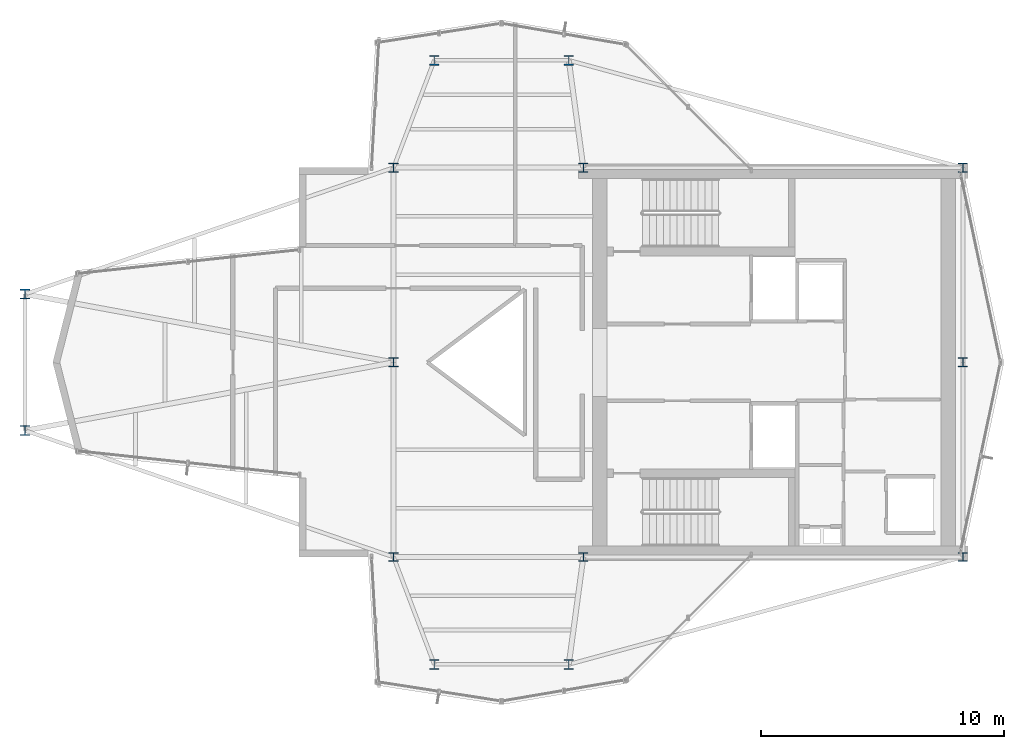
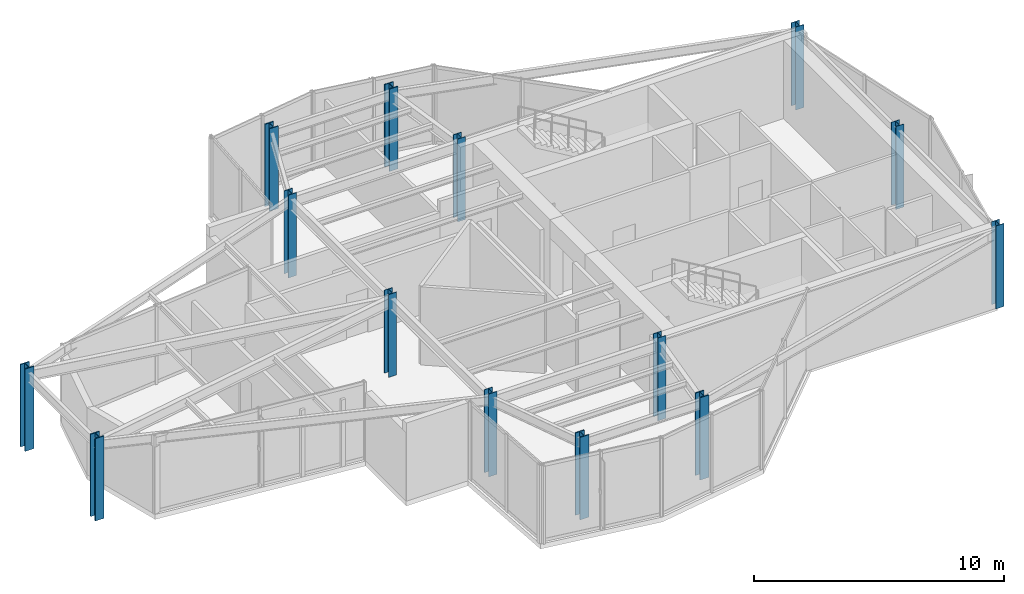
# One storey, part 1 of 13: 14 columns.
"""IFC4 building model written with IfcOpenShell, lengths in metres."""

from ifc_helpers import new_model, si_unit, direction, frame, origin, origin_2d, place, context, subcontext, project, spatial, i_section, extrude, material, material_profile, profile_set, type_object, element, save


model = new_model("IFC4")

# Units and contexts
model_context = context("Model", 3, precision=1e-05, world=origin(), true_north=direction((0.0, 1.0)))
body_context = subcontext(model_context, "Body", "Model", "MODEL_VIEW")
ifc_project = project(units=[si_unit("LENGTHUNIT", "METRE"), si_unit("AREAUNIT", "SQUARE_METRE"), si_unit("VOLUMEUNIT", "CUBIC_METRE"), si_unit("PLANEANGLEUNIT", "RADIAN"), si_unit("MASSUNIT", "GRAM", prefix="KILO")], contexts=[model_context])

# Site, building, storey
site_placement = place(None, origin())
site = spatial("IfcSite", under=ifc_project, at=site_placement, CompositionType="ELEMENT")
building_placement = place(site_placement, origin())
building = spatial("IfcBuilding", under=site, at=building_placement, Name="Veymaron Broadcast Tower", CompositionType="ELEMENT")
storey_placement = place(building_placement, frame((0.0, 0.0, 303.300048828125)))
storey = spatial("IfcBuildingStorey", under=building, at=storey_placement, Name="L71", CompositionType="ELEMENT", Elevation=303.300048828125)

# Columns
ifc_material_1 = material(Name="Structural steel ASTM A992 Gr 50", Category="steel")
ifc_material_profile_1 = material_profile(ifc_material_1, i_section(OverallWidth=0.373046875, OverallDepth=0.367919921875, WebThickness=0.014892578125, FlangeThickness=0.02392578125, at=origin_2d()), Name="W360X179")
ifc_profile_set_1 = profile_set([ifc_material_profile_1], Name="Structural steel ASTM A992 Gr 50")
column_type_1 = type_object("IfcColumnType", Name="COL-HC4", PredefinedType="COLUMN", material=ifc_profile_set_1)
for number, where, z_axis, x_axis, name in (
    (1, (31.199951171875, 16.0, 0.0), (0.0, 0.0, 1.0), (1.0, 0.0, 0.0), "L71 structural hub and core column"),
    (2, (31.199951171875, 24.0, 0.0), (0.0, 0.0, 1.0), (1.0, 0.0, 0.0), "L71 structural hub and core column"),
    (3, (31.199951171875, 32.0, 0.0), (0.0, 0.0, 1.0), (1.0, 0.0, 0.0), "L71 structural hub and core column"),
    (4, (39.0, 16.0, 0.0), (0.0, 0.0, 1.0), (1.0, 0.0, 0.0), "L71 structural hub and core column"),
    (5, (39.0, 32.0, 0.0), (0.0, 0.0, 1.0), (1.0, 0.0, 0.0), "L71 structural hub and core column"),
    (6, (54.60009765625, 16.0, 0.0), (0.0, 0.0, 1.0), (1.0, 0.0, 0.0), "L71 structural hub and core column"),
    (7, (54.60009765625, 24.0, 0.0), (0.0, 0.0, 1.0), (1.0, 0.0, 0.0), "L71 structural hub and core column"),
    (8, (54.60009765625, 32.0, 0.0), (0.0, 0.0, 1.0), (1.0, 0.0, 0.0), "L71 structural hub and core column"),
):
    element("IfcColumn", number, at=place(storey_placement, frame(where, z_axis=z_axis, x_axis=x_axis)), inside=storey, type_object=column_type_1, Name=name, PredefinedType="COLUMN", context=body_context, shape_type="SweptSolid", body=[
        extrude(i_section(OverallWidth=0.373046875, OverallDepth=0.367919921875, WebThickness=0.014892578125, FlangeThickness=0.02392578125, at=origin_2d()), origin(), (0.0, 0.0, 1.0), 4.0439453125),
    ])
ifc_material_2 = material(Name="Structural steel ASTM A913 Gr 65", Category="steel")
ifc_material_profile_2 = material_profile(ifc_material_2, i_section(OverallWidth=0.406005859375, OverallDepth=0.416015625, WebThickness=0.02978515625, FlangeThickness=0.048095703125, at=origin_2d()), Name="W360X382")
ifc_profile_set_2 = profile_set([ifc_material_profile_2], Name="Structural steel ASTM A913 Gr 65")
column_type_2 = type_object("IfcColumnType", Name="COL-MC4", PredefinedType="COLUMN", material=ifc_profile_set_2)
for number, where, z_axis, x_axis, name in (
    (9, (16.052490234375, 21.197998046875, 0.015869140625), (0.0, 0.0, 1.0), (1.0, 0.0, 0.0), "L71 Tapered Wing Mega Column"),
    (10, (16.052490234375, 26.802001953125, 0.015869140625), (0.0, 0.0, 1.0), (1.0, 0.0, 0.0), "L71 Tapered Wing Mega Column"),
    (11, (32.87451171875, 36.412109375, 0.015869140625), (0.0, 0.0, 1.0), (1.0, 0.0, 0.0), "L71 Tapered Wing Mega Column"),
    (12, (38.402099609375, 36.412109375, 0.015869140625), (0.0, 0.0, 1.0), (1.0, 0.0, 0.0), "L71 Tapered Wing Mega Column"),
    (13, (32.87451171875, 11.587890625, 0.015869140625), (0.0, 0.0, 1.0), (1.0, 0.0, 0.0), "L71 Tapered Wing Mega Column"),
    (14, (38.402099609375, 11.587890625, 0.015869140625), (0.0, 0.0, 1.0), (1.0, 0.0, 0.0), "L71 Tapered Wing Mega Column"),
):
    element("IfcColumn", number, at=place(storey_placement, frame(where, z_axis=z_axis, x_axis=x_axis)), inside=storey, type_object=column_type_2, Name=name, PredefinedType="COLUMN", context=body_context, shape_type="SweptSolid", body=[
        extrude(i_section(OverallWidth=0.406005859375, OverallDepth=0.416015625, WebThickness=0.02978515625, FlangeThickness=0.048095703125, at=origin_2d()), origin(), (0.0, 0.0, 1.0), 4.01806640625),
    ])

save(model, "model.ifc")
